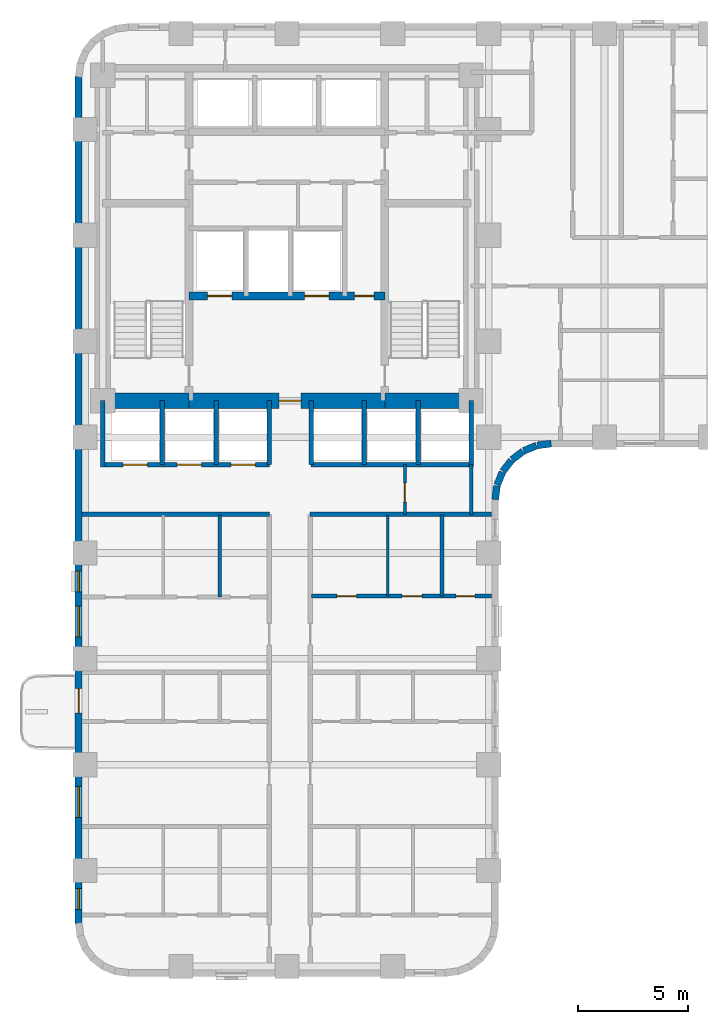
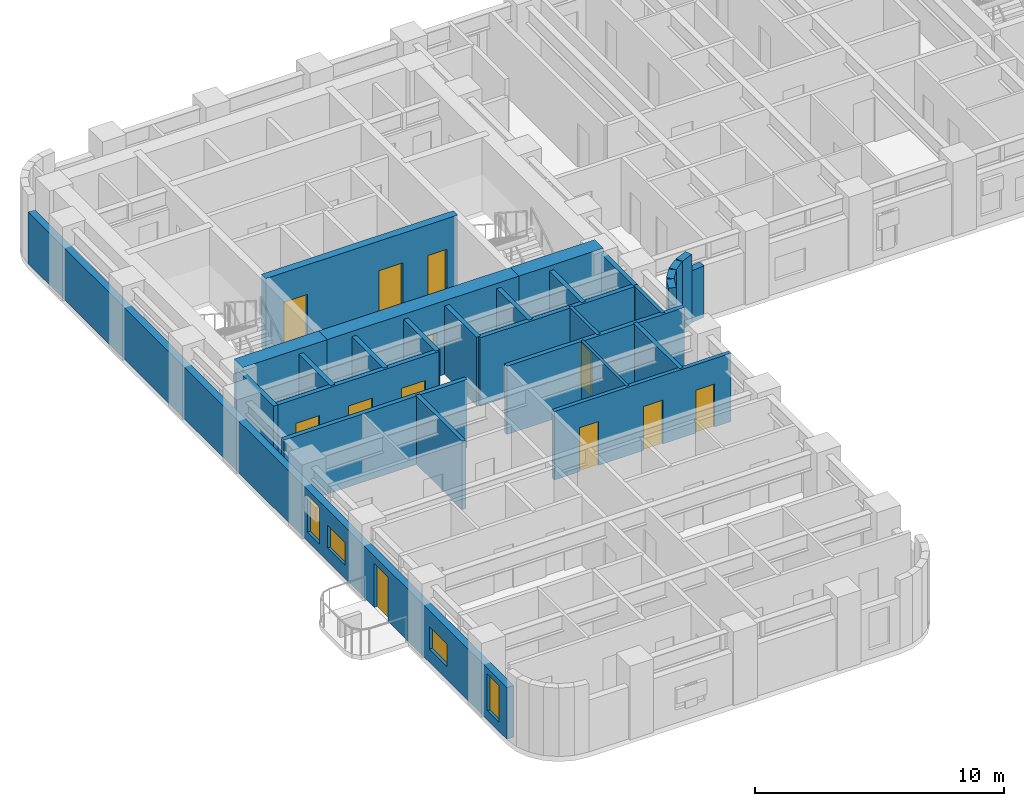
# One storey, part 4 of 10: 29 walls, 12 doors, 4 windows, 16 openings.
"""IFC4 building model written with IfcOpenShell, lengths in metres."""

from ifc_helpers import new_model, si_unit, direction, frame, frame_2d, origin, place, context, subcontext, project, spatial, rectangle, extrude, material, layer, layer_set, type_object, element, fill, save


model = new_model("IFC4")

# Units and contexts
model_context = context("Model", 3, precision=1e-05, world=origin(), true_north=direction((0.0, 1.0)))
body_context = subcontext(model_context, "Body", "Model", "MODEL_VIEW")
ifc_project = project(units=[si_unit("LENGTHUNIT", "METRE"), si_unit("AREAUNIT", "SQUARE_METRE"), si_unit("VOLUMEUNIT", "CUBIC_METRE"), si_unit("PLANEANGLEUNIT", "RADIAN"), si_unit("MASSUNIT", "GRAM", prefix="KILO")], contexts=[model_context])

# Site, building, storey
site_placement = place(None, origin())
site = spatial("IfcSite", under=ifc_project, at=site_placement, CompositionType="ELEMENT")
building_placement = place(site_placement, origin())
building = spatial("IfcBuilding", under=site, at=building_placement, Name="Orvandelia Arch Residences", CompositionType="ELEMENT")
storey_placement = place(building_placement, frame((0.0, 0.0, 28.60009765625)))
storey = spatial("IfcBuildingStorey", under=building, at=storey_placement, Name="L06", CompositionType="ELEMENT", Elevation=28.60009765625)

# Wall, openings, doors
ifc_material_1 = material(Name="Concrete C50/60", Category="concrete")
ifc_layer_1 = layer(ifc_material_1, 0.35009765625, Name="Concrete C50/60", Category="concrete")
ifc_layer_set_1 = layer_set([ifc_layer_1], Name="Concrete C50/60")
wall_type_1 = type_object("IfcWallType", Name="WL-CORE-350", PredefinedType="SHEAR", material=ifc_layer_set_1)
wall_1_placement = place(storey_placement, frame((9.9599609375, 35.64990234375, 0.0), z_axis=(0.0, 0.0, 1.0), x_axis=(1.0, 0.0, 0.0)))
wall_1 = element("IfcWall", 1, at=wall_1_placement, inside=storey, type_object=wall_type_1, Name="Core Shear Wall L06-HZ3", PredefinedType="SHEAR", context=body_context, shape_type="SweptSolid", body=[
    extrude(rectangle(XDim=8.880126953125, YDim=0.35009765625, at=frame_2d((4.43994140625, 0.0))), origin(), (0.0, 0.0, 1.0), 3.599853515625),
])
opening_1_placement = place(wall_1_placement, frame((0.840087890625, 0.0, 0.0)))
opening_1 = element("IfcOpeningElement", 2, at=opening_1_placement, cuts=wall_1, Name="Opening FLD", PredefinedType="OPENING", context=body_context, shape_type="SweptSolid", body=[
    extrude(rectangle(XDim=1.10009765625, YDim=2.14990234375, at=frame_2d((0.550048828125, 1.074951171875))), frame((0.0, 0.18505859375, 0.0), z_axis=(0.0, -1.0, 0.0), x_axis=(1.0, 0.0, 0.0)), (0.0, 0.0, 1.0), 0.3701171875),
])
opening_2_placement = place(wall_1_placement, frame((5.239990234375, 0.0, 0.0)))
opening_2 = element("IfcOpeningElement", 3, at=opening_2_placement, cuts=wall_1, Name="Opening FLD", PredefinedType="OPENING", context=body_context, shape_type="SweptSolid", body=[
    extrude(rectangle(XDim=1.10009765625, YDim=2.14990234375, at=frame_2d((0.550048828125, 1.074951171875))), frame((0.0, 0.18505859375, 0.0), z_axis=(0.0, -1.0, 0.0), x_axis=(1.0, 0.0, 0.0)), (0.0, 0.0, 1.0), 0.3701171875),
])
opening_3_placement = place(wall_1_placement, frame((7.5, 0.0, 0.0)))
opening_3 = element("IfcOpeningElement", 4, at=opening_3_placement, cuts=wall_1, Name="Opening D5", PredefinedType="OPENING", context=body_context, shape_type="SweptSolid", body=[
    extrude(rectangle(XDim=0.8798828125, YDim=2.10009765625, at=frame_2d((0.43994140625, 1.050048828125))), frame((0.0, 0.18505859375, 0.0), z_axis=(0.0, -1.0, 0.0), x_axis=(1.0, 0.0, 0.0)), (0.0, 0.0, 1.0), 0.3701171875),
])
ifc_material_2 = material(Name="Firefighting Lift Stainless Sliding Door")
door_type_1 = type_object("IfcDoorType", Name="DR-FLFT-1100", OperationType="NOTDEFINED", PredefinedType="DOOR", material=ifc_material_2)
door_1_placement = place(opening_1_placement, origin())
door_1 = element("IfcDoor", 5, at=door_1_placement, inside=storey, type_object=door_type_1, Name="Firefighting Lift Landing Door FLD-FL1-L06", OperationType="SLIDING_TO_LEFT", OverallHeight=2.14990234375, OverallWidth=1.10009765625, PredefinedType="DOOR", context=body_context, shape_type="SweptSolid", body=[
    extrude(rectangle(XDim=1.10009765625, YDim=2.14990234375, at=frame_2d((0.550048828125, 1.074951171875))), frame((0.0, 0.02490234375, 0.0), z_axis=(0.0, -1.0, 0.0), x_axis=(1.0, 0.0, 0.0)), (0.0, 0.0, 1.0), 0.050048828125),
])
fill(opening_1, door_1)
door_2_placement = place(opening_2_placement, origin())
door_2 = element("IfcDoor", 6, at=door_2_placement, inside=storey, type_object=door_type_1, Name="Firefighting Lift Landing Door FLD-FL2-L06", OperationType="SLIDING_TO_RIGHT", OverallHeight=2.14990234375, OverallWidth=1.10009765625, PredefinedType="DOOR", context=body_context, shape_type="SweptSolid", body=[
    extrude(rectangle(XDim=1.10009765625, YDim=2.14990234375, at=frame_2d((0.550048828125, 1.074951171875))), frame((0.0, 0.02490234375, 0.0), z_axis=(0.0, -1.0, 0.0), x_axis=(1.0, 0.0, 0.0)), (0.0, 0.0, 1.0), 0.050048828125),
])
fill(opening_2, door_2)
ifc_material_3 = material(Name="Painted Galvanised Steel Service Door", Category="steel")
door_type_2 = type_object("IfcDoorType", Name="DR-SRV-880", OperationType="NOTDEFINED", PredefinedType="DOOR", material=ifc_material_3)
door_3_placement = place(opening_3_placement, origin())
door_3 = element("IfcDoor", 7, at=door_3_placement, inside=storey, type_object=door_type_2, Name="Core Stairway Passage South Fire Door L06", OperationType="SINGLE_SWING_LEFT", OverallHeight=2.10009765625, OverallWidth=0.8798828125, PredefinedType="DOOR", context=body_context, shape_type="SweptSolid", body=[
    extrude(rectangle(XDim=0.8798828125, YDim=2.10009765625, at=frame_2d((0.43994140625, 1.050048828125))), frame((0.0, 0.02490234375, 0.0), z_axis=(0.0, -1.0, 0.0), x_axis=(1.0, 0.0, 0.0)), (0.0, 0.0, 1.0), 0.050048828125),
])
fill(opening_3, door_3)

# Wall
ifc_material_4 = material(Name="Concrete C80/95", Category="concrete")
ifc_layer_2 = layer(ifc_material_4, 0.699951171875, Name="Concrete C80/95", Category="concrete")
ifc_layer_set_2 = layer_set([ifc_layer_2], Name="Concrete C80/95")
wall_type_2 = type_object("IfcWallType", Name="WL-CORE-700", PredefinedType="SHEAR", material=ifc_layer_set_2)
wall_2_placement = place(storey_placement, frame((6.050048828125, 30.89990234375, 0.0), z_axis=(0.0, 0.0, 1.0), x_axis=(1.0, 0.0, 0.0)))
element("IfcWall", 8, at=wall_2_placement, inside=storey, type_object=wall_type_2, Name="Core Shear Wall L06-SW", PredefinedType="SHEAR", context=body_context, shape_type="SweptSolid", body=[
    extrude(rectangle(XDim=3.909912109375, YDim=0.699951171875, at=frame_2d((1.955078125, 0.0))), origin(), (0.0, 0.0, 1.0), 3.599853515625),
])

# Wall, opening, door
wall_3_placement = place(storey_placement, frame((9.9599609375, 30.89990234375, 0.0), z_axis=(0.0, 0.0, 1.0), x_axis=(1.0, 0.0, 0.0)))
wall_3 = element("IfcWall", 9, at=wall_3_placement, inside=storey, type_object=wall_type_2, Name="Core Shear Wall L06-SM", PredefinedType="SHEAR", context=body_context, shape_type="SweptSolid", body=[
    extrude(rectangle(XDim=8.880126953125, YDim=0.699951171875, at=frame_2d((4.43994140625, 0.0))), origin(), (0.0, 0.0, 1.0), 3.599853515625),
])
opening_4_placement = place(wall_3_placement, frame((4.090087890625, 0.0, 0.0)))
opening_4 = element("IfcOpeningElement", 10, at=opening_4_placement, cuts=wall_3, Name="Opening D6", PredefinedType="OPENING", context=body_context, shape_type="SweptSolid", body=[
    extrude(rectangle(XDim=1.0, YDim=2.14990234375, at=frame_2d((0.5, 1.074951171875))), frame((0.0, 0.35986328125, 0.0), z_axis=(0.0, -1.0, 0.0), x_axis=(1.0, 0.0, 0.0)), (0.0, 0.0, 1.0), 0.719970703125),
])
ifc_material_5 = material(Name="Smokeproof Painted Steel Fire Door", Category="steel")
door_type_3 = type_object("IfcDoorType", Name="DR-FD60-1000", OperationType="NOTDEFINED", PredefinedType="DOOR", material=ifc_material_5)
door_4_placement = place(opening_4_placement, origin())
door_4 = element("IfcDoor", 11, at=door_4_placement, inside=storey, type_object=door_type_3, Name="Firefighting Lobby Smokeproof Door L06", OperationType="SINGLE_SWING_LEFT", OverallHeight=2.14990234375, OverallWidth=1.0, PredefinedType="DOOR", context=body_context, shape_type="SweptSolid", body=[
    extrude(rectangle(XDim=1.0, YDim=2.14990234375, at=frame_2d((0.5, 1.074951171875))), frame((0.0, 0.02490234375, 0.0), z_axis=(0.0, -1.0, 0.0), x_axis=(1.0, 0.0, 0.0)), (0.0, 0.0, 1.0), 0.050048828125),
])
fill(opening_4, door_4)

# Walls
wall_4_placement = place(storey_placement, frame((18.840087890625, 30.89990234375, 0.0), z_axis=(0.0, 0.0, 1.0), x_axis=(1.0, 0.0, 0.0)))
element("IfcWall", 12, at=wall_4_placement, inside=storey, type_object=wall_type_2, Name="Core Shear Wall L06-SE", PredefinedType="SHEAR", context=body_context, shape_type="SweptSolid", body=[
    extrude(rectangle(XDim=3.909912109375, YDim=0.699951171875, at=frame_2d((1.955078125, 0.0))), origin(), (0.0, 0.0, 1.0), 3.599853515625),
])
ifc_material_6 = material(Name="Fire-Rated Corridor Partition")
ifc_layer_3 = layer(ifc_material_6, 0.199951171875, Name="Fire-Rated Corridor Partition")
ifc_layer_set_3 = layer_set([ifc_layer_3], Name="Fire-Rated Corridor Partition")
wall_type_3 = type_object("IfcWallType", Name="WL-CORR-200", PredefinedType="PARTITIONING", material=ifc_layer_set_3)
wall_5_placement = place(storey_placement, frame((5.1201171875, 25.75, 0.0), z_axis=(0.0, 0.0, 1.0), x_axis=(1.0, 0.0, 0.0)))
element("IfcWall", 13, at=wall_5_placement, inside=storey, type_object=wall_type_3, Name="Interior Partition Wall WL-L06-WCLS-W", PredefinedType="PARTITIONING", context=body_context, shape_type="SweptSolid", body=[
    extrude(rectangle(XDim=8.47998046875, YDim=0.199951171875, at=frame_2d((4.239990234375, 0.0))), origin(), (0.0, 0.0, 1.0), 3.349853515625),
])
wall_6_placement = place(storey_placement, frame((15.449951171875, 25.75, 0.0), z_axis=(0.0, 0.0, 1.0), x_axis=(1.0, 0.0, 0.0)))
element("IfcWall", 14, at=wall_6_placement, inside=storey, type_object=wall_type_3, Name="Interior Partition Wall WL-L06-WCLS-E", PredefinedType="PARTITIONING", context=body_context, shape_type="SweptSolid", body=[
    extrude(rectangle(XDim=8.22998046875, YDim=0.199951171875, at=frame_2d((4.114990234375, 0.0))), origin(), (0.0, 0.0, 1.0), 3.349853515625),
])
ifc_material_7 = material(Name="Precast concrete C40/50", Category="concrete")
ifc_layer_4 = layer(ifc_material_7, 0.320068359375, Name="Precast concrete C40/50", Category="concrete")
ifc_layer_set_4 = layer_set([ifc_layer_4], Name="Precast concrete C40/50")
wall_type_4 = type_object("IfcWallType", Name="WL-EXT-STONE-320", PredefinedType="STANDARD", material=ifc_layer_set_4)
wall_7_placement = place(storey_placement, frame((26.379150390625, 28.95849609375, 0.0), z_axis=(0.0, 0.0, 1.0), x_axis=(-0.991447664465, -0.130504898859, 0.0)))
element("IfcWall", 15, at=wall_7_placement, inside=storey, type_object=wall_type_4, Name="Coral-Limestone Precast Facade Wall L06-022", PredefinedType="STANDARD", context=body_context, shape_type="SweptSolid", body=[
    extrude(rectangle(XDim=0.626708984375, YDim=0.320068359375, at=frame_2d((0.3134765625, 0.0))), origin(), (0.0, 0.0, 1.0), 2.52978515625),
])
wall_8_placement = place(storey_placement, frame((25.717529296875, 28.865966796875, 0.0), z_axis=(0.0, 0.0, 1.0), x_axis=(-0.923836271867, -0.382787856107, 0.0)))
element("IfcWall", 16, at=wall_8_placement, inside=storey, type_object=wall_type_4, Name="Coral-Limestone Precast Facade Wall L06-023", PredefinedType="STANDARD", context=body_context, shape_type="SweptSolid", body=[
    extrude(rectangle(XDim=0.626220703125, YDim=0.320068359375, at=frame_2d((0.31298828125, 0.0))), origin(), (0.0, 0.0, 1.0), 3.349853515625),
])
for number, where, z_axis, x_axis, name in (
    (17, (25.1025390625, 28.60546875, 0.0), (0.0, 0.0, 1.0), (-0.793405610854, -0.608693302629, 0.0), "Coral-Limestone Precast Facade Wall L06-024"),
    (18, (24.575927734375, 28.194580078125, 0.0), (0.0, 0.0, 1.0), (-0.608693302629, -0.793405610854, 0.0), "Coral-Limestone Precast Facade Wall L06-025"),
):
    element("IfcWall", number, at=place(storey_placement, frame(where, z_axis=z_axis, x_axis=x_axis)), inside=storey, type_object=wall_type_4, Name=name, PredefinedType="STANDARD", context=body_context, shape_type="SweptSolid", body=[
        extrude(rectangle(XDim=0.62646484375, YDim=0.320068359375, at=frame_2d((0.313232421875, 0.0))), origin(), (0.0, 0.0, 1.0), 3.349853515625),
    ])
wall_9_placement = place(storey_placement, frame((24.173583984375, 27.6611328125, 0.0), z_axis=(0.0, 0.0, 1.0), x_axis=(-0.382455093999, -0.923974080304, 0.0)))
element("IfcWall", 19, at=wall_9_placement, inside=storey, type_object=wall_type_4, Name="Coral-Limestone Precast Facade Wall L06-026", PredefinedType="STANDARD", context=body_context, shape_type="SweptSolid", body=[
    extrude(rectangle(XDim=0.626220703125, YDim=0.320068359375, at=frame_2d((0.31298828125, 0.0))), origin(), (0.0, 0.0, 1.0), 3.349853515625),
])
wall_10_placement = place(storey_placement, frame((23.923095703125, 27.0419921875, 0.0), z_axis=(0.0, 0.0, 1.0), x_axis=(-0.130555323746, -0.9914410257, 0.0)))
element("IfcWall", 20, at=wall_10_placement, inside=storey, type_object=wall_type_4, Name="Coral-Limestone Precast Facade Wall L06-027", PredefinedType="STANDARD", context=body_context, shape_type="SweptSolid", body=[
    extrude(rectangle(XDim=0.62646484375, YDim=0.320068359375, at=frame_2d((0.313232421875, 0.0))), origin(), (0.0, 0.0, 1.0), 2.52978515625),
])

# Wall, openings, door, windows
wall_11_placement = place(storey_placement, frame((4.9599609375, 7.199951171875, 0.0), z_axis=(0.0, 0.0, 1.0), x_axis=(0.0, 1.0, 0.0)))
wall_11 = element("IfcWall", 21, at=wall_11_placement, inside=storey, type_object=wall_type_4, Name="Coral-Limestone Precast Facade Wall L06-042", PredefinedType="STANDARD", context=body_context, shape_type="SweptSolid", body=[
    extrude(rectangle(XDim=38.400146484375, YDim=0.320068359375, at=frame_2d((19.2001953125, 0.0))), origin(), (0.0, 0.0, 1.0), 2.52978515625),
])
opening_5_placement = place(wall_11_placement, frame((9.550048828125, 0.0, 0.0)))
opening_5 = element("IfcOpeningElement", 22, at=opening_5_placement, cuts=wall_11, Name="Opening BD1", PredefinedType="OPENING", context=body_context, shape_type="SweptSolid", body=[
    extrude(rectangle(XDim=1.10009765625, YDim=2.14990234375, at=frame_2d((0.550048828125, 1.074951171875))), frame((0.0, 0.169921875, 0.0), z_axis=(0.0, -1.0, 0.0), x_axis=(1.0, 0.0, 0.0)), (0.0, 0.0, 1.0), 0.340087890625),
])
opening_6_placement = place(wall_11_placement, frame((0.635009765625, 0.0, 0.449951171875)))
opening_6 = element("IfcOpeningElement", 23, at=opening_6_placement, cuts=wall_11, Name="Opening W4", PredefinedType="OPENING", context=body_context, shape_type="SweptSolid", body=[
    extrude(rectangle(XDim=0.949951171875, YDim=1.800048828125, at=frame_2d((0.47509765625, 0.89990234375))), frame((0.0, 0.169921875, 0.0), z_axis=(0.0, -1.0, 0.0), x_axis=(1.0, 0.0, 0.0)), (0.0, 0.0, 1.0), 0.340087890625),
])
opening_7_placement = place(wall_11_placement, frame((15.0400390625, 0.0, 0.449951171875)))
opening_7 = element("IfcOpeningElement", 24, at=opening_7_placement, cuts=wall_11, Name="Opening W4", PredefinedType="OPENING", context=body_context, shape_type="SweptSolid", body=[
    extrude(rectangle(XDim=0.949951171875, YDim=1.800048828125, at=frame_2d((0.47509765625, 0.89990234375))), frame((0.0, 0.169921875, 0.0), z_axis=(0.0, -1.0, 0.0), x_axis=(1.0, 0.0, 0.0)), (0.0, 0.0, 1.0), 0.340087890625),
])
opening_8_placement = place(wall_11_placement, frame((4.81494140625, 0.0, 0.64990234375)))
opening_8 = element("IfcOpeningElement", 25, at=opening_8_placement, cuts=wall_11, Name="Opening W10", PredefinedType="OPENING", context=body_context, shape_type="SweptSolid", body=[
    extrude(rectangle(XDim=1.39990234375, YDim=1.10009765625, at=frame_2d((0.699951171875, 0.550048828125))), frame((0.0, 0.169921875, 0.0), z_axis=(0.0, -1.0, 0.0), x_axis=(1.0, 0.0, 0.0)), (0.0, 0.0, 1.0), 0.340087890625),
])
opening_9_placement = place(wall_11_placement, frame((12.985107421875, 0.0, 0.64990234375)))
opening_9 = element("IfcOpeningElement", 26, at=opening_9_placement, cuts=wall_11, Name="Opening W10", PredefinedType="OPENING", context=body_context, shape_type="SweptSolid", body=[
    extrude(rectangle(XDim=1.39990234375, YDim=1.10009765625, at=frame_2d((0.699951171875, 0.550048828125))), frame((0.0, 0.169921875, 0.0), z_axis=(0.0, -1.0, 0.0), x_axis=(1.0, 0.0, 0.0)), (0.0, 0.0, 1.0), 0.340087890625),
])
ifc_material_8 = material(Name="Thermally Broken Aluminium Glazed Door", Category="aluminium")
door_type_4 = type_object("IfcDoorType", Name="DR-BAL-GLAZ-1100", OperationType="NOTDEFINED", PredefinedType="DOOR", material=ifc_material_8)
door_5_placement = place(opening_5_placement, origin())
door_5 = element("IfcDoor", 27, at=door_5_placement, inside=storey, type_object=door_type_4, Name="Tree Balcony Glazed Door BAL-L06-W1", OperationType="SINGLE_SWING_RIGHT", OverallHeight=2.14990234375, OverallWidth=1.10009765625, PredefinedType="DOOR", context=body_context, shape_type="SweptSolid", body=[
    extrude(rectangle(XDim=1.10009765625, YDim=2.14990234375, at=frame_2d((0.550048828125, 1.074951171875))), frame((0.0, 0.02490234375, 0.0), z_axis=(0.0, -1.0, 0.0), x_axis=(1.0, 0.0, 0.0)), (0.0, 0.0, 1.0), 0.050048828125),
])
fill(opening_5, door_5)
ifc_material_9 = material(Name="Tempered Low-E Insulated Glazing", Category="glass")
window_type_1 = type_object("IfcWindowType", Name="WIN-CLR-1400x1100", PartitioningType="SINGLE_PANEL", PredefinedType="WINDOW", material=ifc_material_9)
window_1_placement = place(opening_8_placement, origin())
window_1 = element("IfcWindow", 28, at=window_1_placement, inside=storey, type_object=window_type_1, Name="Recessed Punched Window L06-031", OverallHeight=1.10009765625, OverallWidth=1.39990234375, PartitioningType="SINGLE_PANEL", PredefinedType="WINDOW", context=body_context, shape_type="SweptSolid", body=[
    extrude(rectangle(XDim=1.39990234375, YDim=1.10009765625, at=frame_2d((0.699951171875, 0.550048828125))), frame((0.0, 0.030029296875, 0.0), z_axis=(0.0, -1.0, 0.0), x_axis=(1.0, 0.0, 0.0)), (0.0, 0.0, 1.0), 0.06005859375),
])
fill(opening_8, window_1)
window_2_placement = place(opening_9_placement, origin())
window_2 = element("IfcWindow", 29, at=window_2_placement, inside=storey, type_object=window_type_1, Name="Recessed Punched Window L06-032", OverallHeight=1.10009765625, OverallWidth=1.39990234375, PartitioningType="SINGLE_PANEL", PredefinedType="WINDOW", context=body_context, shape_type="SweptSolid", body=[
    extrude(rectangle(XDim=1.39990234375, YDim=1.10009765625, at=frame_2d((0.699951171875, 0.550048828125))), frame((0.0, 0.030029296875, 0.0), z_axis=(0.0, -1.0, 0.0), x_axis=(1.0, 0.0, 0.0)), (0.0, 0.0, 1.0), 0.06005859375),
])
fill(opening_9, window_2)
window_type_2 = type_object("IfcWindowType", Name="WIN-RES-0950x1800", PartitioningType="SINGLE_PANEL", PredefinedType="WINDOW", material=ifc_material_9)
window_3_placement = place(opening_6_placement, origin())
window_3 = element("IfcWindow", 30, at=window_3_placement, inside=storey, type_object=window_type_2, Name="Recessed Punched Window L06-029", OverallHeight=1.800048828125, OverallWidth=0.949951171875, PartitioningType="SINGLE_PANEL", PredefinedType="WINDOW", context=body_context, shape_type="SweptSolid", body=[
    extrude(rectangle(XDim=0.949951171875, YDim=1.800048828125, at=frame_2d((0.47509765625, 0.89990234375))), frame((0.0, 0.030029296875, 0.0), z_axis=(0.0, -1.0, 0.0), x_axis=(1.0, 0.0, 0.0)), (0.0, 0.0, 1.0), 0.06005859375),
])
fill(opening_6, window_3)
window_4_placement = place(opening_7_placement, origin())
window_4 = element("IfcWindow", 31, at=window_4_placement, inside=storey, type_object=window_type_2, Name="Recessed Punched Window L06-030", OverallHeight=1.800048828125, OverallWidth=0.949951171875, PartitioningType="SINGLE_PANEL", PredefinedType="WINDOW", context=body_context, shape_type="SweptSolid", body=[
    extrude(rectangle(XDim=0.949951171875, YDim=1.800048828125, at=frame_2d((0.47509765625, 0.89990234375))), frame((0.0, 0.030029296875, 0.0), z_axis=(0.0, -1.0, 0.0), x_axis=(1.0, 0.0, 0.0)), (0.0, 0.0, 1.0), 0.06005859375),
])
fill(opening_7, window_4)

# Wall
ifc_material_10 = material(Name="Lightweight Gypsum Stud Partition")
ifc_layer_5 = layer(ifc_material_10, 0.1201171875, Name="Lightweight Gypsum Stud Partition")
ifc_layer_set_5 = layer_set([ifc_layer_5], Name="Lightweight Gypsum Stud Partition")
wall_type_5 = type_object("IfcWallType", Name="WL-PART-120", PredefinedType="PARTITIONING", material=ifc_layer_set_5)
wall_12_placement = place(storey_placement, frame((18.967041015625, 22.0400390625, 0.0), z_axis=(0.0, 0.0, 1.0), x_axis=(0.0, 1.0, 0.0)))
element("IfcWall", 32, at=wall_12_placement, inside=storey, type_object=wall_type_5, Name="Interior Partition Wall WL-L06-U06-V1", PredefinedType="PARTITIONING", context=body_context, shape_type="SweptSolid", body=[
    extrude(rectangle(XDim=3.679931640625, YDim=0.1201171875, at=frame_2d((1.83984375, 0.0))), origin(), (0.0, 0.0, 1.0), 3.349853515625),
])

# Wall, opening, door
ifc_material_11 = material(Name="Acoustic Gypsum Stud Partition")
ifc_layer_6 = layer(ifc_material_11, 0.14990234375, Name="Acoustic Gypsum Stud Partition")
ifc_layer_set_6 = layer_set([ifc_layer_6], Name="Acoustic Gypsum Stud Partition")
wall_type_6 = type_object("IfcWallType", Name="WL-PART-150", PredefinedType="PARTITIONING", material=ifc_layer_set_6)
wall_13_placement = place(storey_placement, frame((19.75, 25.75, 0.0), z_axis=(0.0, 0.0, 1.0), x_axis=(0.0, 1.0, 0.0)))
wall_13 = element("IfcWall", 33, at=wall_13_placement, inside=storey, type_object=wall_type_6, Name="Interior Partition Wall WL-L06-HLS-EW3", PredefinedType="PARTITIONING", context=body_context, shape_type="SweptSolid", body=[
    extrude(rectangle(XDim=2.25, YDim=0.14990234375, at=frame_2d((1.125, 0.0))), origin(), (0.0, 0.0, 1.0), 3.349853515625),
])
opening_10_placement = place(wall_13_placement, frame((0.550048828125, 0.0, 0.0)))
opening_10 = element("IfcOpeningElement", 34, at=opening_10_placement, cuts=wall_13, Name="Opening D5", PredefinedType="OPENING", context=body_context, shape_type="SweptSolid", body=[
    extrude(rectangle(XDim=0.8798828125, YDim=2.10009765625, at=frame_2d((0.43994140625, 1.050048828125))), frame((0.0, 0.0849609375, 0.0), z_axis=(0.0, -1.0, 0.0), x_axis=(1.0, 0.0, 0.0)), (0.0, 0.0, 1.0), 0.169921875),
])
door_6_placement = place(opening_10_placement, origin())
door_6 = element("IfcDoor", 35, at=door_6_placement, inside=storey, type_object=door_type_2, Name="DR-L06-CSZ1A", OperationType="SINGLE_SWING_RIGHT", OverallHeight=2.10009765625, OverallWidth=0.8798828125, PredefinedType="DOOR", context=body_context, shape_type="SweptSolid", body=[
    extrude(rectangle(XDim=0.8798828125, YDim=2.10009765625, at=frame_2d((0.43994140625, 1.050048828125))), frame((0.0, 0.02490234375, 0.0), z_axis=(0.0, -1.0, 0.0), x_axis=(1.0, 0.0, 0.0)), (0.0, 0.0, 1.0), 0.050048828125),
])
fill(opening_10, door_6)

# Wall
wall_14_placement = place(storey_placement, frame((22.75, 25.75, 0.0), z_axis=(0.0, 0.0, 1.0), x_axis=(0.0, 1.0, 0.0)))
element("IfcWall", 36, at=wall_14_placement, inside=storey, type_object=wall_type_6, Name="Interior Partition Wall WL-L06-HLS-EE", PredefinedType="PARTITIONING", context=body_context, shape_type="SweptSolid", body=[
    extrude(rectangle(XDim=2.25, YDim=0.14990234375, at=frame_2d((1.125, 0.0))), origin(), (0.0, 0.0, 1.0), 3.349853515625),
])

# Wall, openings, doors
ifc_material_12 = material(Name="Fire-Rated Shaft Enclosure Wall")
ifc_layer_7 = layer(ifc_material_12, 0.199951171875, Name="Fire-Rated Shaft Enclosure Wall")
ifc_layer_set_7 = layer_set([ifc_layer_7], Name="Fire-Rated Shaft Enclosure Wall")
wall_type_7 = type_object("IfcWallType", Name="WL-SHAFT-200", PredefinedType="POLYGONAL", material=ifc_layer_set_7)
wall_15_placement = place(storey_placement, frame((6.050048828125, 28.0, 0.0), z_axis=(0.0, 0.0, 1.0), x_axis=(1.0, 0.0, 0.0)))
wall_15 = element("IfcWall", 37, at=wall_15_placement, inside=storey, type_object=wall_type_7, Name="Interior Partition Wall WL-L06-BNKL-S", PredefinedType="POLYGONAL", context=body_context, shape_type="SweptSolid", body=[
    extrude(rectangle(XDim=7.550048828125, YDim=0.199951171875, at=frame_2d((3.77490234375, 0.0))), origin(), (0.0, 0.0, 1.0), 3.349853515625),
])
opening_11_placement = place(wall_15_placement, frame((0.925048828125, 0.0, 0.0)))
opening_11 = element("IfcOpeningElement", 38, at=opening_11_placement, cuts=wall_15, Name="Opening LD", PredefinedType="OPENING", context=body_context, shape_type="SweptSolid", body=[
    extrude(rectangle(XDim=1.10009765625, YDim=2.14990234375, at=frame_2d((0.550048828125, 1.074951171875))), frame((0.0, 0.10986328125, 0.0), z_axis=(0.0, -1.0, 0.0), x_axis=(1.0, 0.0, 0.0)), (0.0, 0.0, 1.0), 0.219970703125),
])
opening_12_placement = place(wall_15_placement, frame((3.375, 0.0, 0.0)))
opening_12 = element("IfcOpeningElement", 39, at=opening_12_placement, cuts=wall_15, Name="Opening LD", PredefinedType="OPENING", context=body_context, shape_type="SweptSolid", body=[
    extrude(rectangle(XDim=1.10009765625, YDim=2.14990234375, at=frame_2d((0.550048828125, 1.074951171875))), frame((0.0, 0.10986328125, 0.0), z_axis=(0.0, -1.0, 0.0), x_axis=(1.0, 0.0, 0.0)), (0.0, 0.0, 1.0), 0.219970703125),
])
opening_13_placement = place(wall_15_placement, frame((5.824951171875, 0.0, 0.0)))
opening_13 = element("IfcOpeningElement", 40, at=opening_13_placement, cuts=wall_15, Name="Opening LD", PredefinedType="OPENING", context=body_context, shape_type="SweptSolid", body=[
    extrude(rectangle(XDim=1.10009765625, YDim=2.14990234375, at=frame_2d((0.550048828125, 1.074951171875))), frame((0.0, 0.10986328125, 0.0), z_axis=(0.0, -1.0, 0.0), x_axis=(1.0, 0.0, 0.0)), (0.0, 0.0, 1.0), 0.219970703125),
])
ifc_material_13 = material(Name="Brushed Stainless Steel Sliding Lift Door", Category="steel")
door_type_5 = type_object("IfcDoorType", Name="DR-LIFT-1100", OperationType="NOTDEFINED", PredefinedType="DOOR", material=ifc_material_13)
door_7_placement = place(opening_11_placement, origin())
door_7 = element("IfcDoor", 41, at=door_7_placement, inside=storey, type_object=door_type_5, Name="Lift Landing Door LD-PL1", OperationType="SLIDING_TO_LEFT", OverallHeight=2.14990234375, OverallWidth=1.10009765625, PredefinedType="DOOR", context=body_context, shape_type="SweptSolid", body=[
    extrude(rectangle(XDim=1.10009765625, YDim=2.14990234375, at=frame_2d((0.550048828125, 1.074951171875))), frame((0.0, 0.02490234375, 0.0), z_axis=(0.0, -1.0, 0.0), x_axis=(1.0, 0.0, 0.0)), (0.0, 0.0, 1.0), 0.050048828125),
])
fill(opening_11, door_7)
door_8_placement = place(opening_12_placement, origin())
door_8 = element("IfcDoor", 42, at=door_8_placement, inside=storey, type_object=door_type_5, Name="Lift Landing Door LD-PL2", OperationType="SLIDING_TO_RIGHT", OverallHeight=2.14990234375, OverallWidth=1.10009765625, PredefinedType="DOOR", context=body_context, shape_type="SweptSolid", body=[
    extrude(rectangle(XDim=1.10009765625, YDim=2.14990234375, at=frame_2d((0.550048828125, 1.074951171875))), frame((0.0, 0.02490234375, 0.0), z_axis=(0.0, -1.0, 0.0), x_axis=(1.0, 0.0, 0.0)), (0.0, 0.0, 1.0), 0.050048828125),
])
fill(opening_12, door_8)
door_9_placement = place(opening_13_placement, origin())
door_9 = element("IfcDoor", 43, at=door_9_placement, inside=storey, type_object=door_type_5, Name="Lift Landing Door LD-PL3", OperationType="SLIDING_TO_LEFT", OverallHeight=2.14990234375, OverallWidth=1.10009765625, PredefinedType="DOOR", context=body_context, shape_type="SweptSolid", body=[
    extrude(rectangle(XDim=1.10009765625, YDim=2.14990234375, at=frame_2d((0.550048828125, 1.074951171875))), frame((0.0, 0.02490234375, 0.0), z_axis=(0.0, -1.0, 0.0), x_axis=(1.0, 0.0, 0.0)), (0.0, 0.0, 1.0), 0.050048828125),
])
fill(opening_13, door_9)

# Walls
wall_16_placement = place(storey_placement, frame((15.5, 28.0, 0.0), z_axis=(0.0, 0.0, 1.0), x_axis=(1.0, 0.0, 0.0)))
element("IfcWall", 44, at=wall_16_placement, inside=storey, type_object=wall_type_7, Name="Interior Partition Wall WL-L06-BNKM-S", PredefinedType="POLYGONAL", context=body_context, shape_type="SweptSolid", body=[
    extrude(rectangle(XDim=7.25, YDim=0.199951171875, at=frame_2d((3.625, 0.0))), origin(), (0.0, 0.0, 1.0), 3.349853515625),
])
for number, where, z_axis, x_axis, name in (
    (45, (6.050048828125, 27.89990234375, 0.0), (0.0, 0.0, 1.0), (0.0, 1.0, 0.0), "Interior Partition Wall WL-L06-BNKL-W"),
    (46, (22.75, 27.89990234375, 0.0), (0.0, 0.0, 1.0), (0.0, 1.0, 0.0), "Interior Partition Wall WL-L06-BNKM-E"),
):
    element("IfcWall", number, at=place(storey_placement, frame(where, z_axis=z_axis, x_axis=x_axis)), inside=storey, type_object=wall_type_7, Name=name, PredefinedType="POLYGONAL", context=body_context, shape_type="SweptSolid", body=[
        extrude(rectangle(XDim=3.0, YDim=0.199951171875, at=frame_2d((1.5, 0.0))), origin(), (0.0, 0.0, 1.0), 3.349853515625),
    ])
for number, where, z_axis, x_axis, name in (
    (47, (13.60009765625, 28.0, 0.0), (0.0, 0.0, 1.0), (0.0, 1.0, 0.0), "Interior Partition Wall WL-L06-BNKL-E"),
    (48, (15.5, 28.0, 0.0), (0.0, 0.0, 1.0), (0.0, 1.0, 0.0), "Interior Partition Wall WL-L06-BNKM-W"),
    (49, (8.75, 28.0, 0.0), (0.0, 0.0, 1.0), (0.0, 1.0, 0.0), "Interior Partition Wall WL-L06-BNKD-875"),
    (50, (11.199951171875, 28.0, 0.0), (0.0, 0.0, 1.0), (0.0, 1.0, 0.0), "Interior Partition Wall WL-L06-BNKD-1120"),
    (51, (17.89990234375, 28.0, 0.0), (0.0, 0.0, 1.0), (0.0, 1.0, 0.0), "Interior Partition Wall WL-L06-BNKD-1789"),
    (52, (20.35009765625, 28.0, 0.0), (0.0, 0.0, 1.0), (0.0, 1.0, 0.0), "Interior Partition Wall WL-L06-BNKD-2035"),
):
    element("IfcWall", number, at=place(storey_placement, frame(where, z_axis=z_axis, x_axis=x_axis)), inside=storey, type_object=wall_type_7, Name=name, PredefinedType="POLYGONAL", context=body_context, shape_type="SweptSolid", body=[
        extrude(rectangle(XDim=2.89990234375, YDim=0.199951171875, at=frame_2d((1.449951171875, 0.0))), origin(), (0.0, 0.0, 1.0), 3.349853515625),
    ])
ifc_material_14 = material(Name="Moisture-Resistant Plumbing Wall")
ifc_layer_8 = layer(ifc_material_14, 0.179931640625, Name="Moisture-Resistant Plumbing Wall")
ifc_layer_set_8 = layer_set([ifc_layer_8], Name="Moisture-Resistant Plumbing Wall")
wall_type_8 = type_object("IfcWallType", Name="WL-WET-180", PredefinedType="PLUMBINGWALL", material=ifc_layer_set_8)
wall_17_placement = place(storey_placement, frame((11.35498046875, 22.0, 0.0), z_axis=(0.0, 0.0, 1.0), x_axis=(0.0, 1.0, 0.0)))
element("IfcWall", 53, at=wall_17_placement, inside=storey, type_object=wall_type_8, Name="Interior Partition Wall WL-L06-U03-V2", PredefinedType="PLUMBINGWALL", context=body_context, shape_type="SweptSolid", body=[
    extrude(rectangle(XDim=3.719970703125, YDim=0.179931640625, at=frame_2d((1.85986328125, 0.0))), origin(), (0.0, 0.0, 1.0), 3.349853515625),
])

# Wall, openings, doors
wall_18_placement = place(storey_placement, frame((15.510009765625, 22.0400390625, 0.0), z_axis=(0.0, 0.0, 1.0), x_axis=(1.0, 0.0, 0.0)))
wall_18 = element("IfcWall", 54, at=wall_18_placement, inside=storey, type_object=wall_type_8, Name="Interior Partition Wall WL-L06-U06-HZ", PredefinedType="PLUMBINGWALL", context=body_context, shape_type="SweptSolid", body=[
    extrude(rectangle(XDim=8.169921875, YDim=0.179931640625, at=frame_2d((4.0849609375, 0.0))), origin(), (0.0, 0.0, 1.0), 3.349853515625),
])
opening_14_placement = place(wall_18_placement, frame((1.153564453125, 0.0, 0.0)))
opening_14 = element("IfcOpeningElement", 55, at=opening_14_placement, cuts=wall_18, Name="Opening D3", PredefinedType="OPENING", context=body_context, shape_type="SweptSolid", body=[
    extrude(rectangle(XDim=0.89990234375, YDim=2.14990234375, at=frame_2d((0.449951171875, 1.074951171875))), frame((0.0, 0.10009765625, 0.0), z_axis=(0.0, -1.0, 0.0), x_axis=(1.0, 0.0, 0.0)), (0.0, 0.0, 1.0), 0.199951171875),
])
opening_15_placement = place(wall_18_placement, frame((4.116455078125, 0.0, 0.0)))
opening_15 = element("IfcOpeningElement", 56, at=opening_15_placement, cuts=wall_18, Name="Opening D3", PredefinedType="OPENING", context=body_context, shape_type="SweptSolid", body=[
    extrude(rectangle(XDim=0.89990234375, YDim=2.14990234375, at=frame_2d((0.449951171875, 1.074951171875))), frame((0.0, 0.10009765625, 0.0), z_axis=(0.0, -1.0, 0.0), x_axis=(1.0, 0.0, 0.0)), (0.0, 0.0, 1.0), 0.199951171875),
])
opening_16_placement = place(wall_18_placement, frame((6.552978515625, 0.0, 0.0)))
opening_16 = element("IfcOpeningElement", 57, at=opening_16_placement, cuts=wall_18, Name="Opening D4", PredefinedType="OPENING", context=body_context, shape_type="SweptSolid", body=[
    extrude(rectangle(XDim=0.860107421875, YDim=2.10009765625, at=frame_2d((0.43017578125, 1.050048828125))), frame((0.0, 0.10009765625, 0.0), z_axis=(0.0, -1.0, 0.0), x_axis=(1.0, 0.0, 0.0)), (0.0, 0.0, 1.0), 0.199951171875),
])
ifc_material_15 = material(Name="Engineered Timber Flush Door", Category="wood")
door_type_6 = type_object("IfcDoorType", Name="DR-INT-900", OperationType="NOTDEFINED", PredefinedType="DOOR", material=ifc_material_15)
door_10_placement = place(opening_14_placement, origin())
door_10 = element("IfcDoor", 58, at=door_10_placement, inside=storey, type_object=door_type_6, Name="DR-L06-U06-STDY", OperationType="SINGLE_SWING_RIGHT", OverallHeight=2.14990234375, OverallWidth=0.89990234375, PredefinedType="DOOR", context=body_context, shape_type="SweptSolid", body=[
    extrude(rectangle(XDim=0.89990234375, YDim=2.14990234375, at=frame_2d((0.449951171875, 1.074951171875))), frame((0.0, 0.02490234375, 0.0), z_axis=(0.0, -1.0, 0.0), x_axis=(1.0, 0.0, 0.0)), (0.0, 0.0, 1.0), 0.050048828125),
])
fill(opening_14, door_10)
door_11_placement = place(opening_15_placement, origin())
door_11 = element("IfcDoor", 59, at=door_11_placement, inside=storey, type_object=door_type_6, Name="DR-L06-U06-KIT", OperationType="SINGLE_SWING_LEFT", OverallHeight=2.14990234375, OverallWidth=0.89990234375, PredefinedType="DOOR", context=body_context, shape_type="SweptSolid", body=[
    extrude(rectangle(XDim=0.89990234375, YDim=2.14990234375, at=frame_2d((0.449951171875, 1.074951171875))), frame((0.0, 0.02490234375, 0.0), z_axis=(0.0, -1.0, 0.0), x_axis=(1.0, 0.0, 0.0)), (0.0, 0.0, 1.0), 0.050048828125),
])
fill(opening_15, door_11)
ifc_material_16 = material(Name="Moisture-Sealed Timber Bathroom Door", Category="wood")
door_type_7 = type_object("IfcDoorType", Name="DR-WET-900", OperationType="NOTDEFINED", PredefinedType="DOOR", material=ifc_material_16)
door_12_placement = place(opening_16_placement, origin())
door_12 = element("IfcDoor", 60, at=door_12_placement, inside=storey, type_object=door_type_7, Name="DR-L06-U06-BTH", OperationType="SINGLE_SWING_RIGHT", OverallHeight=2.10009765625, OverallWidth=0.860107421875, PredefinedType="DOOR", context=body_context, shape_type="SweptSolid", body=[
    extrude(rectangle(XDim=0.860107421875, YDim=2.10009765625, at=frame_2d((0.43017578125, 1.050048828125))), frame((0.0, 0.02490234375, 0.0), z_axis=(0.0, -1.0, 0.0), x_axis=(1.0, 0.0, 0.0)), (0.0, 0.0, 1.0), 0.050048828125),
])
fill(opening_16, door_12)

# Wall
wall_19_placement = place(storey_placement, frame((21.43603515625, 22.0400390625, 0.0), z_axis=(0.0, 0.0, 1.0), x_axis=(0.0, 1.0, 0.0)))
element("IfcWall", 61, at=wall_19_placement, inside=storey, type_object=wall_type_8, Name="Interior Partition Wall WL-L06-U06-V2", PredefinedType="PLUMBINGWALL", context=body_context, shape_type="SweptSolid", body=[
    extrude(rectangle(XDim=3.679931640625, YDim=0.179931640625, at=frame_2d((1.83984375, 0.0))), origin(), (0.0, 0.0, 1.0), 3.349853515625),
])

save(model, "model.ifc")
